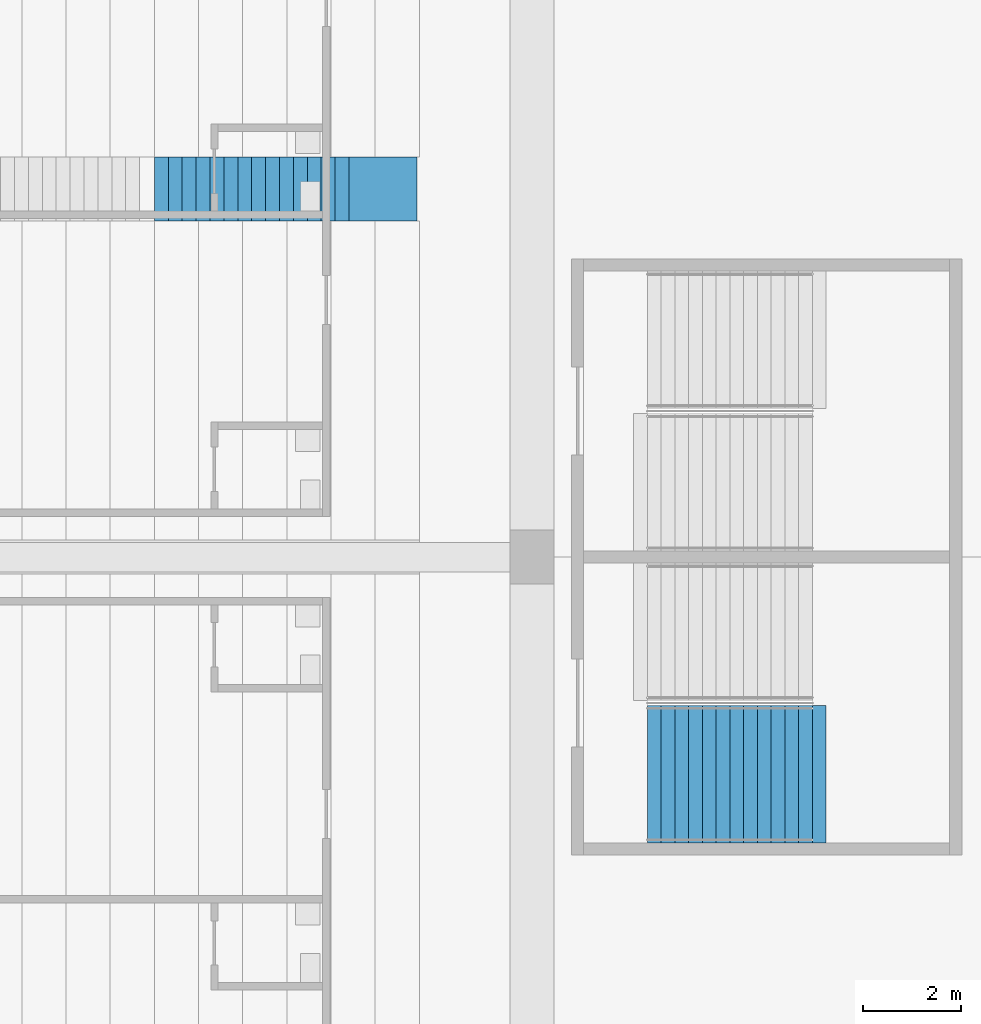
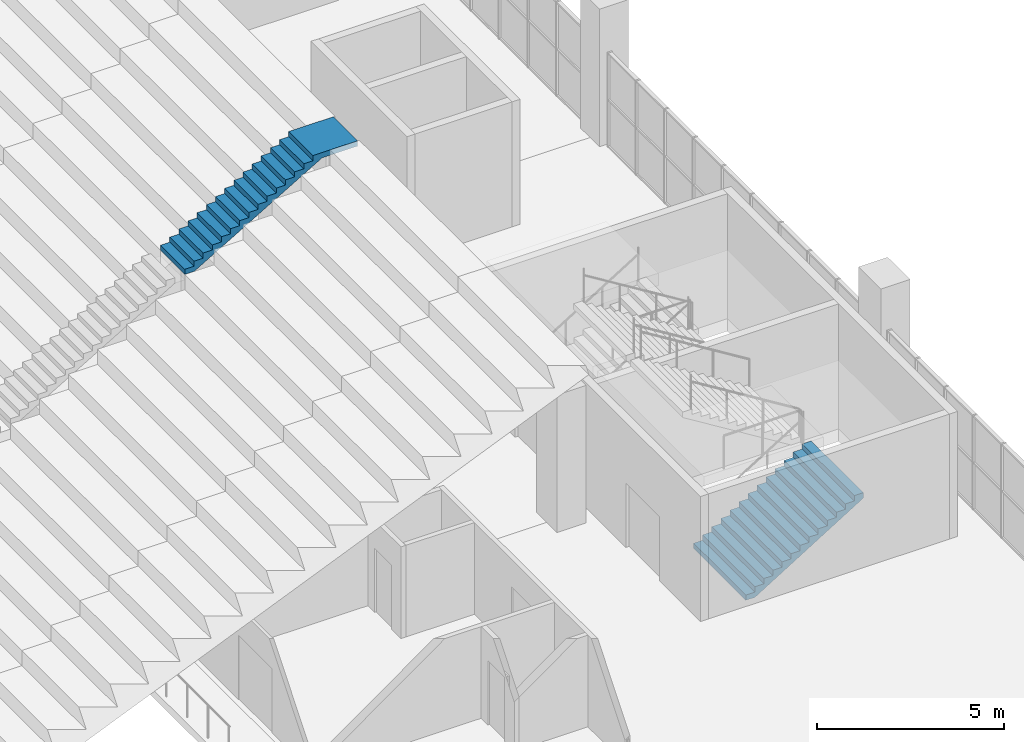
# One storey, part 180 of 249: 2 stair flights, 2 elements without a shape of their own.
"""IFC4 building model written with IfcOpenShell, lengths in metres."""

from ifc_helpers import new_model, si_unit, direction, frame, origin, place, context, subcontext, project, spatial, faceted_brep, material, type_object, element, aggregate, save


model = new_model("IFC4")

# Units and contexts
model_context = context("Model", 3, precision=1e-05, world=origin(), true_north=direction((0.0, 1.0)))
body_context = subcontext(model_context, "Body", "Model", "MODEL_VIEW")
ifc_project = project(units=[si_unit("LENGTHUNIT", "METRE"), si_unit("AREAUNIT", "SQUARE_METRE"), si_unit("VOLUMEUNIT", "CUBIC_METRE"), si_unit("PLANEANGLEUNIT", "RADIAN"), si_unit("MASSUNIT", "GRAM", prefix="KILO")], contexts=[model_context])

# Site, building, storey
site_placement = place(None, origin())
site = spatial("IfcSite", under=ifc_project, at=site_placement, CompositionType="ELEMENT")
building_placement = place(site_placement, origin())
building = spatial("IfcBuilding", under=site, at=building_placement, Name="Ogive Plaza Stadium", CompositionType="ELEMENT")
storey_placement = place(building_placement, frame((0.0, 0.0, 13.5)))
storey = spatial("IfcBuildingStorey", under=building, at=storey_placement, Name="L03", CompositionType="ELEMENT", Elevation=13.5)

# Stair, stair flight
ifc_material_1 = material(Name="Concrete C40/50", Category="concrete")
stair_type_1 = type_object("IfcStairType", Name="Aisle stair", PredefinedType="STRAIGHT_RUN_STAIR", material=ifc_material_1)
stair_1_placement = place(storey_placement, origin())
stair_1 = element("IfcStair", 1, at=stair_1_placement, inside=storey, type_object=stair_type_1, Name="Aisle stair SA05U", PredefinedType="STRAIGHT_RUN_STAIR")
ifc_material_2 = material(Name="Concrete C40/50", Category="concrete")
stair_flight_type_1 = type_object("IfcStairFlightType", Name="Aisle stair flight", PredefinedType="STRAIGHT", material=ifc_material_2)
stair_flight_1_placement = place(storey_placement, frame((66.300048828125, -15.0, 6.5), z_axis=(0.0, 0.0, 1.0), x_axis=(1.0, 0.0, 0.0)))
stair_flight_1 = element("IfcStairFlight", 2, at=stair_flight_1_placement, type_object=stair_flight_type_1, Name="SA05U flight 3", NumberOfRisers=15, NumberOfTreads=14, PredefinedType="STRAIGHT", RiserHeight=0.166666667, TreadLength=0.283333333, context=body_context, shape_type="Brep", body=[
    faceted_brep([(0.295654296875, -0.64990234375, 0.0), (4.25, -0.64990234375, 2.326171875), (5.35009765625, -0.64990234375, 2.326171875), (5.35009765625, -0.64990234375, 2.5), (3.966552734375, -0.64990234375, 2.5), (3.966552734375, -0.64990234375, 2.333251953125), (3.683349609375, -0.64990234375, 2.333251953125), (3.683349609375, -0.64990234375, 2.166748046875), (3.39990234375, -0.64990234375, 2.166748046875), (3.39990234375, -0.64990234375, 2.0), (3.11669921875, -0.64990234375, 2.0), (3.11669921875, -0.64990234375, 1.833251953125), (2.833251953125, -0.64990234375, 1.833251953125), (2.833251953125, -0.64990234375, 1.666748046875), (2.550048828125, -0.64990234375, 1.666748046875), (2.550048828125, -0.64990234375, 1.5), (2.2666015625, -0.64990234375, 1.5), (2.2666015625, -0.64990234375, 1.333251953125), (1.9833984375, -0.64990234375, 1.333251953125), (1.9833984375, -0.64990234375, 1.166748046875), (1.699951171875, -0.64990234375, 1.166748046875), (1.699951171875, -0.64990234375, 1.0), (1.416748046875, -0.64990234375, 1.0), (1.416748046875, -0.64990234375, 0.833251953125), (1.13330078125, -0.64990234375, 0.833251953125), (1.13330078125, -0.64990234375, 0.666748046875), (0.85009765625, -0.64990234375, 0.666748046875), (0.85009765625, -0.64990234375, 0.5), (0.566650390625, -0.64990234375, 0.5), (0.566650390625, -0.64990234375, 0.333251953125), (0.283447265625, -0.64990234375, 0.333251953125), (0.283447265625, -0.64990234375, 0.166748046875), (0.0, -0.64990234375, 0.166748046875), (0.0, -0.64990234375, 0.0), (0.0, 0.64990234375, 0.0), (0.0, 0.64990234375, 0.166748046875), (0.283447265625, 0.64990234375, 0.166748046875), (0.283447265625, 0.64990234375, 0.333251953125), (0.566650390625, 0.64990234375, 0.333251953125), (0.566650390625, 0.64990234375, 0.5), (0.85009765625, 0.64990234375, 0.5), (0.85009765625, 0.64990234375, 0.666748046875), (1.13330078125, 0.64990234375, 0.666748046875), (1.13330078125, 0.64990234375, 0.833251953125), (1.416748046875, 0.64990234375, 0.833251953125), (1.416748046875, 0.64990234375, 1.0), (1.699951171875, 0.64990234375, 1.0), (1.699951171875, 0.64990234375, 1.166748046875), (1.9833984375, 0.64990234375, 1.166748046875), (1.9833984375, 0.64990234375, 1.333251953125), (2.2666015625, 0.64990234375, 1.333251953125), (2.2666015625, 0.64990234375, 1.5), (2.550048828125, 0.64990234375, 1.5), (2.550048828125, 0.64990234375, 1.666748046875), (2.833251953125, 0.64990234375, 1.666748046875), (2.833251953125, 0.64990234375, 1.833251953125), (3.11669921875, 0.64990234375, 1.833251953125), (3.11669921875, 0.64990234375, 2.0), (3.39990234375, 0.64990234375, 2.0), (3.39990234375, 0.64990234375, 2.166748046875), (3.683349609375, 0.64990234375, 2.166748046875), (3.683349609375, 0.64990234375, 2.333251953125), (3.966552734375, 0.64990234375, 2.333251953125), (3.966552734375, 0.64990234375, 2.5), (5.35009765625, 0.64990234375, 2.5), (5.35009765625, 0.64990234375, 2.326171875), (4.25, 0.64990234375, 2.326171875), (0.295654296875, 0.64990234375, 0.0), (0.295654296875, -0.324951171875, 0.0), (4.25, -0.324951171875, 2.326171875), (0.295654296875, 0.0, 0.0), (4.25, 0.0, 2.326171875), (0.295654296875, 0.324951171875, 0.0), (4.25, 0.324951171875, 2.326171875), (5.35009765625, -0.324951171875, 2.326171875), (5.35009765625, 0.0, 2.326171875), (5.35009765625, 0.324951171875, 2.326171875), (5.35009765625, -0.324951171875, 2.5), (5.35009765625, 0.0, 2.5), (5.35009765625, 0.324951171875, 2.5), (3.966552734375, -0.324951171875, 2.5), (3.966552734375, 0.0, 2.5), (3.966552734375, 0.324951171875, 2.5), (3.966552734375, -0.324951171875, 2.333251953125), (3.966552734375, 0.0, 2.333251953125), (3.966552734375, 0.324951171875, 2.333251953125), (3.683349609375, -0.324951171875, 2.333251953125), (3.683349609375, 0.0, 2.333251953125), (3.683349609375, 0.324951171875, 2.333251953125), (3.683349609375, -0.324951171875, 2.166748046875), (3.683349609375, 0.0, 2.166748046875), (3.683349609375, 0.324951171875, 2.166748046875), (3.39990234375, -0.324951171875, 2.166748046875), (3.39990234375, 0.0, 2.166748046875), (3.39990234375, 0.324951171875, 2.166748046875), (3.39990234375, -0.324951171875, 2.0), (3.39990234375, 0.0, 2.0), (3.39990234375, 0.324951171875, 2.0), (3.11669921875, -0.324951171875, 2.0), (3.11669921875, 0.0, 2.0), (3.11669921875, 0.324951171875, 2.0), (3.11669921875, -0.324951171875, 1.833251953125), (3.11669921875, 0.0, 1.833251953125), (3.11669921875, 0.324951171875, 1.833251953125), (2.833251953125, -0.324951171875, 1.833251953125), (2.833251953125, 0.0, 1.833251953125), (2.833251953125, 0.324951171875, 1.833251953125), (2.833251953125, -0.324951171875, 1.666748046875), (2.833251953125, 0.0, 1.666748046875), (2.833251953125, 0.324951171875, 1.666748046875), (2.550048828125, -0.324951171875, 1.666748046875), (2.550048828125, 0.0, 1.666748046875), (2.550048828125, 0.324951171875, 1.666748046875), (2.550048828125, -0.324951171875, 1.5), (2.550048828125, 0.0, 1.5), (2.550048828125, 0.324951171875, 1.5), (2.2666015625, -0.324951171875, 1.5), (2.2666015625, 0.0, 1.5), (2.2666015625, 0.324951171875, 1.5), (2.2666015625, -0.324951171875, 1.333251953125), (2.2666015625, 0.0, 1.333251953125), (2.2666015625, 0.324951171875, 1.333251953125), (1.9833984375, -0.324951171875, 1.333251953125), (1.9833984375, 0.0, 1.333251953125), (1.9833984375, 0.324951171875, 1.333251953125), (1.9833984375, -0.324951171875, 1.166748046875), (1.9833984375, 0.0, 1.166748046875), (1.9833984375, 0.324951171875, 1.166748046875), (1.699951171875, -0.324951171875, 1.166748046875), (1.699951171875, 0.0, 1.166748046875), (1.699951171875, 0.324951171875, 1.166748046875), (1.699951171875, -0.324951171875, 1.0), (1.699951171875, 0.0, 1.0), (1.699951171875, 0.324951171875, 1.0), (1.416748046875, -0.324951171875, 1.0), (1.416748046875, 0.0, 1.0), (1.416748046875, 0.324951171875, 1.0), (1.416748046875, -0.324951171875, 0.833251953125), (1.416748046875, 0.0, 0.833251953125), (1.416748046875, 0.324951171875, 0.833251953125), (1.13330078125, -0.324951171875, 0.833251953125), (1.13330078125, 0.0, 0.833251953125), (1.13330078125, 0.324951171875, 0.833251953125), (1.13330078125, -0.324951171875, 0.666748046875), (1.13330078125, 0.0, 0.666748046875), (1.13330078125, 0.324951171875, 0.666748046875), (0.85009765625, -0.324951171875, 0.666748046875), (0.85009765625, 0.0, 0.666748046875), (0.85009765625, 0.324951171875, 0.666748046875), (0.85009765625, -0.324951171875, 0.5), (0.85009765625, 0.0, 0.5), (0.85009765625, 0.324951171875, 0.5), (0.566650390625, -0.324951171875, 0.5), (0.566650390625, 0.0, 0.5), (0.566650390625, 0.324951171875, 0.5), (0.566650390625, -0.324951171875, 0.333251953125), (0.566650390625, 0.0, 0.333251953125), (0.566650390625, 0.324951171875, 0.333251953125), (0.283447265625, -0.324951171875, 0.333251953125), (0.283447265625, 0.0, 0.333251953125), (0.283447265625, 0.324951171875, 0.333251953125), (0.283447265625, -0.324951171875, 0.166748046875), (0.283447265625, 0.0, 0.166748046875), (0.283447265625, 0.324951171875, 0.166748046875), (0.0, -0.324951171875, 0.166748046875), (0.0, 0.0, 0.166748046875), (0.0, 0.324951171875, 0.166748046875), (0.0, -0.324951171875, 0.0), (0.0, 0.0, 0.0), (0.0, 0.324951171875, 0.0)], [[[0, 1, 2, 3, 4, 5, 6, 7, 8, 9, 10, 11, 12, 13, 14, 15, 16, 17, 18, 19, 20, 21, 22, 23, 24, 25, 26, 27, 28, 29, 30, 31, 32, 33]], [[34, 35, 36, 37, 38, 39, 40, 41, 42, 43, 44, 45, 46, 47, 48, 49, 50, 51, 52, 53, 54, 55, 56, 57, 58, 59, 60, 61, 62, 63, 64, 65, 66, 67]], [[0, 68, 69, 1]], [[68, 70, 71, 69]], [[70, 72, 73, 71]], [[72, 67, 66, 73]], [[1, 69, 74, 2]], [[69, 71, 75, 74]], [[71, 73, 76, 75]], [[73, 66, 65, 76]], [[2, 74, 77, 3]], [[74, 75, 78, 77]], [[75, 76, 79, 78]], [[76, 65, 64, 79]], [[3, 77, 80, 4]], [[77, 78, 81, 80]], [[78, 79, 82, 81]], [[79, 64, 63, 82]], [[4, 80, 83, 5]], [[80, 81, 84, 83]], [[81, 82, 85, 84]], [[82, 63, 62, 85]], [[5, 83, 86, 6]], [[83, 84, 87, 86]], [[84, 85, 88, 87]], [[85, 62, 61, 88]], [[6, 86, 89, 7]], [[86, 87, 90, 89]], [[87, 88, 91, 90]], [[88, 61, 60, 91]], [[7, 89, 92, 8]], [[89, 90, 93, 92]], [[90, 91, 94, 93]], [[91, 60, 59, 94]], [[8, 92, 95, 9]], [[92, 93, 96, 95]], [[93, 94, 97, 96]], [[94, 59, 58, 97]], [[9, 95, 98, 10]], [[95, 96, 99, 98]], [[96, 97, 100, 99]], [[97, 58, 57, 100]], [[10, 98, 101, 11]], [[98, 99, 102, 101]], [[99, 100, 103, 102]], [[100, 57, 56, 103]], [[11, 101, 104, 12]], [[101, 102, 105, 104]], [[102, 103, 106, 105]], [[103, 56, 55, 106]], [[12, 104, 107, 13]], [[104, 105, 108, 107]], [[105, 106, 109, 108]], [[106, 55, 54, 109]], [[13, 107, 110, 14]], [[107, 108, 111, 110]], [[108, 109, 112, 111]], [[109, 54, 53, 112]], [[14, 110, 113, 15]], [[110, 111, 114, 113]], [[111, 112, 115, 114]], [[112, 53, 52, 115]], [[15, 113, 116, 16]], [[113, 114, 117, 116]], [[114, 115, 118, 117]], [[115, 52, 51, 118]], [[16, 116, 119, 17]], [[116, 117, 120, 119]], [[117, 118, 121, 120]], [[118, 51, 50, 121]], [[17, 119, 122, 18]], [[119, 120, 123, 122]], [[120, 121, 124, 123]], [[121, 50, 49, 124]], [[18, 122, 125, 19]], [[122, 123, 126, 125]], [[123, 124, 127, 126]], [[124, 49, 48, 127]], [[19, 125, 128, 20]], [[125, 126, 129, 128]], [[126, 127, 130, 129]], [[127, 48, 47, 130]], [[20, 128, 131, 21]], [[128, 129, 132, 131]], [[129, 130, 133, 132]], [[130, 47, 46, 133]], [[21, 131, 134, 22]], [[131, 132, 135, 134]], [[132, 133, 136, 135]], [[133, 46, 45, 136]], [[22, 134, 137, 23]], [[134, 135, 138, 137]], [[135, 136, 139, 138]], [[136, 45, 44, 139]], [[23, 137, 140, 24]], [[137, 138, 141, 140]], [[138, 139, 142, 141]], [[139, 44, 43, 142]], [[24, 140, 143, 25]], [[140, 141, 144, 143]], [[141, 142, 145, 144]], [[142, 43, 42, 145]], [[25, 143, 146, 26]], [[143, 144, 147, 146]], [[144, 145, 148, 147]], [[145, 42, 41, 148]], [[26, 146, 149, 27]], [[146, 147, 150, 149]], [[147, 148, 151, 150]], [[148, 41, 40, 151]], [[27, 149, 152, 28]], [[149, 150, 153, 152]], [[150, 151, 154, 153]], [[151, 40, 39, 154]], [[28, 152, 155, 29]], [[152, 153, 156, 155]], [[153, 154, 157, 156]], [[154, 39, 38, 157]], [[29, 155, 158, 30]], [[155, 156, 159, 158]], [[156, 157, 160, 159]], [[157, 38, 37, 160]], [[30, 158, 161, 31]], [[158, 159, 162, 161]], [[159, 160, 163, 162]], [[160, 37, 36, 163]], [[31, 161, 164, 32]], [[161, 162, 165, 164]], [[162, 163, 166, 165]], [[163, 36, 35, 166]], [[32, 164, 167, 33]], [[164, 165, 168, 167]], [[165, 166, 169, 168]], [[166, 35, 34, 169]], [[33, 167, 68, 0]], [[167, 168, 70, 68]], [[168, 169, 72, 70]], [[169, 34, 67, 72]]]),
])
aggregate(stair_1, [stair_flight_1])

ifc_material_3 = material(Name="Concrete C40/50", Category="concrete")
stair_type_2 = type_object("IfcStairType", Name="Exit stair", PredefinedType="STRAIGHT_RUN_STAIR", material=ifc_material_3)
stair_2_placement = place(storey_placement, origin())
stair_2 = element("IfcStair", 3, at=stair_2_placement, inside=storey, type_object=stair_type_2, Name="Exit stair ST06A L03 to L04", PredefinedType="STRAIGHT_RUN_STAIR")
ifc_material_4 = material(Name="Concrete C40/50", Category="concrete")
stair_flight_type_2 = type_object("IfcStairFlightType", Name="Exit stair flight", PredefinedType="STRAIGHT", material=ifc_material_4)
stair_flight_2_placement = place(storey_placement, frame((76.35009765625, -26.925048828125, 0.0), z_axis=(0.0, 0.0, 1.0), x_axis=(1.0, 0.0, 0.0)))
stair_flight_2 = element("IfcStairFlight", 4, at=stair_flight_2_placement, type_object=stair_flight_type_2, Name="ST06A flight 1", NumberOfRisers=13, NumberOfTreads=12, PredefinedType="STRAIGHT", RiserHeight=0.173076923, TreadLength=0.28, context=body_context, shape_type="Brep", body=[
    faceted_brep([(0.28515625, -1.39990234375, 0.0), (3.639892578125, -1.39990234375, 2.07373046875), (3.639892578125, -1.39990234375, 2.25), (3.360107421875, -1.39990234375, 2.25), (3.360107421875, -1.39990234375, 2.076904296875), (3.080078125, -1.39990234375, 2.076904296875), (3.080078125, -1.39990234375, 1.90380859375), (2.800048828125, -1.39990234375, 1.90380859375), (2.800048828125, -1.39990234375, 1.730712890625), (2.52001953125, -1.39990234375, 1.730712890625), (2.52001953125, -1.39990234375, 1.5576171875), (2.239990234375, -1.39990234375, 1.5576171875), (2.239990234375, -1.39990234375, 1.384521484375), (1.9599609375, -1.39990234375, 1.384521484375), (1.9599609375, -1.39990234375, 1.21142578125), (1.679931640625, -1.39990234375, 1.21142578125), (1.679931640625, -1.39990234375, 1.03857421875), (1.39990234375, -1.39990234375, 1.03857421875), (1.39990234375, -1.39990234375, 0.865478515625), (1.1201171875, -1.39990234375, 0.865478515625), (1.1201171875, -1.39990234375, 0.6923828125), (0.840087890625, -1.39990234375, 0.6923828125), (0.840087890625, -1.39990234375, 0.519287109375), (0.56005859375, -1.39990234375, 0.519287109375), (0.56005859375, -1.39990234375, 0.34619140625), (0.280029296875, -1.39990234375, 0.34619140625), (0.280029296875, -1.39990234375, 0.173095703125), (0.0, -1.39990234375, 0.173095703125), (0.0, -1.39990234375, 0.0), (0.0, 1.39990234375, 0.0), (0.0, 1.39990234375, 0.173095703125), (0.280029296875, 1.39990234375, 0.173095703125), (0.280029296875, 1.39990234375, 0.34619140625), (0.56005859375, 1.39990234375, 0.34619140625), (0.56005859375, 1.39990234375, 0.519287109375), (0.840087890625, 1.39990234375, 0.519287109375), (0.840087890625, 1.39990234375, 0.6923828125), (1.1201171875, 1.39990234375, 0.6923828125), (1.1201171875, 1.39990234375, 0.865478515625), (1.39990234375, 1.39990234375, 0.865478515625), (1.39990234375, 1.39990234375, 1.03857421875), (1.679931640625, 1.39990234375, 1.03857421875), (1.679931640625, 1.39990234375, 1.21142578125), (1.9599609375, 1.39990234375, 1.21142578125), (1.9599609375, 1.39990234375, 1.384521484375), (2.239990234375, 1.39990234375, 1.384521484375), (2.239990234375, 1.39990234375, 1.5576171875), (2.52001953125, 1.39990234375, 1.5576171875), (2.52001953125, 1.39990234375, 1.730712890625), (2.800048828125, 1.39990234375, 1.730712890625), (2.800048828125, 1.39990234375, 1.90380859375), (3.080078125, 1.39990234375, 1.90380859375), (3.080078125, 1.39990234375, 2.076904296875), (3.360107421875, 1.39990234375, 2.076904296875), (3.360107421875, 1.39990234375, 2.25), (3.639892578125, 1.39990234375, 2.25), (3.639892578125, 1.39990234375, 2.07373046875), (0.28515625, 1.39990234375, 0.0), (0.28515625, -1.0888671875, 0.0), (3.639892578125, -1.0888671875, 2.07373046875), (0.28515625, -0.77783203125, 0.0), (3.639892578125, -0.77783203125, 2.07373046875), (0.28515625, -0.466796875, 0.0), (3.639892578125, -0.466796875, 2.07373046875), (0.28515625, -0.155517578125, 0.0), (3.639892578125, -0.155517578125, 2.07373046875), (0.28515625, 0.155517578125, 0.0), (3.639892578125, 0.155517578125, 2.07373046875), (0.28515625, 0.466796875, 0.0), (3.639892578125, 0.466796875, 2.07373046875), (0.28515625, 0.77783203125, 0.0), (3.639892578125, 0.77783203125, 2.07373046875), (0.28515625, 1.0888671875, 0.0), (3.639892578125, 1.0888671875, 2.07373046875), (3.639892578125, -1.0888671875, 2.25), (3.639892578125, -0.77783203125, 2.25), (3.639892578125, -0.466796875, 2.25), (3.639892578125, -0.155517578125, 2.25), (3.639892578125, 0.155517578125, 2.25), (3.639892578125, 0.466796875, 2.25), (3.639892578125, 0.77783203125, 2.25), (3.639892578125, 1.0888671875, 2.25), (3.360107421875, -1.0888671875, 2.25), (3.360107421875, -0.77783203125, 2.25), (3.360107421875, -0.466796875, 2.25), (3.360107421875, -0.155517578125, 2.25), (3.360107421875, 0.155517578125, 2.25), (3.360107421875, 0.466796875, 2.25), (3.360107421875, 0.77783203125, 2.25), (3.360107421875, 1.0888671875, 2.25), (3.360107421875, -1.0888671875, 2.076904296875), (3.360107421875, -0.77783203125, 2.076904296875), (3.360107421875, -0.466796875, 2.076904296875), (3.360107421875, -0.155517578125, 2.076904296875), (3.360107421875, 0.155517578125, 2.076904296875), (3.360107421875, 0.466796875, 2.076904296875), (3.360107421875, 0.77783203125, 2.076904296875), (3.360107421875, 1.0888671875, 2.076904296875), (3.080078125, -1.0888671875, 2.076904296875), (3.080078125, -0.77783203125, 2.076904296875), (3.080078125, -0.466796875, 2.076904296875), (3.080078125, -0.155517578125, 2.076904296875), (3.080078125, 0.155517578125, 2.076904296875), (3.080078125, 0.466796875, 2.076904296875), (3.080078125, 0.77783203125, 2.076904296875), (3.080078125, 1.0888671875, 2.076904296875), (3.080078125, -1.0888671875, 1.90380859375), (3.080078125, -0.77783203125, 1.90380859375), (3.080078125, -0.466796875, 1.90380859375), (3.080078125, -0.155517578125, 1.90380859375), (3.080078125, 0.155517578125, 1.90380859375), (3.080078125, 0.466796875, 1.90380859375), (3.080078125, 0.77783203125, 1.90380859375), (3.080078125, 1.0888671875, 1.90380859375), (2.800048828125, -1.0888671875, 1.90380859375), (2.800048828125, -0.77783203125, 1.90380859375), (2.800048828125, -0.466796875, 1.90380859375), (2.800048828125, -0.155517578125, 1.90380859375), (2.800048828125, 0.155517578125, 1.90380859375), (2.800048828125, 0.466796875, 1.90380859375), (2.800048828125, 0.77783203125, 1.90380859375), (2.800048828125, 1.0888671875, 1.90380859375), (2.800048828125, -1.0888671875, 1.730712890625), (2.800048828125, -0.77783203125, 1.730712890625), (2.800048828125, -0.466796875, 1.730712890625), (2.800048828125, -0.155517578125, 1.730712890625), (2.800048828125, 0.155517578125, 1.730712890625), (2.800048828125, 0.466796875, 1.730712890625), (2.800048828125, 0.77783203125, 1.730712890625), (2.800048828125, 1.0888671875, 1.730712890625), (2.52001953125, -1.0888671875, 1.730712890625), (2.52001953125, -0.77783203125, 1.730712890625), (2.52001953125, -0.466796875, 1.730712890625), (2.52001953125, -0.155517578125, 1.730712890625), (2.52001953125, 0.155517578125, 1.730712890625), (2.52001953125, 0.466796875, 1.730712890625), (2.52001953125, 0.77783203125, 1.730712890625), (2.52001953125, 1.0888671875, 1.730712890625), (2.52001953125, -1.0888671875, 1.5576171875), (2.52001953125, -0.77783203125, 1.5576171875), (2.52001953125, -0.466796875, 1.5576171875), (2.52001953125, -0.155517578125, 1.5576171875), (2.52001953125, 0.155517578125, 1.5576171875), (2.52001953125, 0.466796875, 1.5576171875), (2.52001953125, 0.77783203125, 1.5576171875), (2.52001953125, 1.0888671875, 1.5576171875), (2.239990234375, -1.0888671875, 1.5576171875), (2.239990234375, -0.77783203125, 1.5576171875), (2.239990234375, -0.466796875, 1.5576171875), (2.239990234375, -0.155517578125, 1.5576171875), (2.239990234375, 0.155517578125, 1.5576171875), (2.239990234375, 0.466796875, 1.5576171875), (2.239990234375, 0.77783203125, 1.5576171875), (2.239990234375, 1.0888671875, 1.5576171875), (2.239990234375, -1.0888671875, 1.384521484375), (2.239990234375, -0.77783203125, 1.384521484375), (2.239990234375, -0.466796875, 1.384521484375), (2.239990234375, -0.155517578125, 1.384521484375), (2.239990234375, 0.155517578125, 1.384521484375), (2.239990234375, 0.466796875, 1.384521484375), (2.239990234375, 0.77783203125, 1.384521484375), (2.239990234375, 1.0888671875, 1.384521484375), (1.9599609375, -1.0888671875, 1.384521484375), (1.9599609375, -0.77783203125, 1.384521484375), (1.9599609375, -0.466796875, 1.384521484375), (1.9599609375, -0.155517578125, 1.384521484375), (1.9599609375, 0.155517578125, 1.384521484375), (1.9599609375, 0.466796875, 1.384521484375), (1.9599609375, 0.77783203125, 1.384521484375), (1.9599609375, 1.0888671875, 1.384521484375), (1.9599609375, -1.0888671875, 1.21142578125), (1.9599609375, -0.77783203125, 1.21142578125), (1.9599609375, -0.466796875, 1.21142578125), (1.9599609375, -0.155517578125, 1.21142578125), (1.9599609375, 0.155517578125, 1.21142578125), (1.9599609375, 0.466796875, 1.21142578125), (1.9599609375, 0.77783203125, 1.21142578125), (1.9599609375, 1.0888671875, 1.21142578125), (1.679931640625, -1.0888671875, 1.21142578125), (1.679931640625, -0.77783203125, 1.21142578125), (1.679931640625, -0.466796875, 1.21142578125), (1.679931640625, -0.155517578125, 1.21142578125), (1.679931640625, 0.155517578125, 1.21142578125), (1.679931640625, 0.466796875, 1.21142578125), (1.679931640625, 0.77783203125, 1.21142578125), (1.679931640625, 1.0888671875, 1.21142578125), (1.679931640625, -1.0888671875, 1.03857421875), (1.679931640625, -0.77783203125, 1.03857421875), (1.679931640625, -0.466796875, 1.03857421875), (1.679931640625, -0.155517578125, 1.03857421875), (1.679931640625, 0.155517578125, 1.03857421875), (1.679931640625, 0.466796875, 1.03857421875), (1.679931640625, 0.77783203125, 1.03857421875), (1.679931640625, 1.0888671875, 1.03857421875), (1.39990234375, -1.0888671875, 1.03857421875), (1.39990234375, -0.77783203125, 1.03857421875), (1.39990234375, -0.466796875, 1.03857421875), (1.39990234375, -0.155517578125, 1.03857421875), (1.39990234375, 0.155517578125, 1.03857421875), (1.39990234375, 0.466796875, 1.03857421875), (1.39990234375, 0.77783203125, 1.03857421875), (1.39990234375, 1.0888671875, 1.03857421875), (1.39990234375, -1.0888671875, 0.865478515625), (1.39990234375, -0.77783203125, 0.865478515625), (1.39990234375, -0.466796875, 0.865478515625), (1.39990234375, -0.155517578125, 0.865478515625), (1.39990234375, 0.155517578125, 0.865478515625), (1.39990234375, 0.466796875, 0.865478515625), (1.39990234375, 0.77783203125, 0.865478515625), (1.39990234375, 1.0888671875, 0.865478515625), (1.1201171875, -1.0888671875, 0.865478515625), (1.1201171875, -0.77783203125, 0.865478515625), (1.1201171875, -0.466796875, 0.865478515625), (1.1201171875, -0.155517578125, 0.865478515625), (1.1201171875, 0.155517578125, 0.865478515625), (1.1201171875, 0.466796875, 0.865478515625), (1.1201171875, 0.77783203125, 0.865478515625), (1.1201171875, 1.0888671875, 0.865478515625), (1.1201171875, -1.0888671875, 0.6923828125), (1.1201171875, -0.77783203125, 0.6923828125), (1.1201171875, -0.466796875, 0.6923828125), (1.1201171875, -0.155517578125, 0.6923828125), (1.1201171875, 0.155517578125, 0.6923828125), (1.1201171875, 0.466796875, 0.6923828125), (1.1201171875, 0.77783203125, 0.6923828125), (1.1201171875, 1.0888671875, 0.6923828125), (0.840087890625, -1.0888671875, 0.6923828125), (0.840087890625, -0.77783203125, 0.6923828125), (0.840087890625, -0.466796875, 0.6923828125), (0.840087890625, -0.155517578125, 0.6923828125), (0.840087890625, 0.155517578125, 0.6923828125), (0.840087890625, 0.466796875, 0.6923828125), (0.840087890625, 0.77783203125, 0.6923828125), (0.840087890625, 1.0888671875, 0.6923828125), (0.840087890625, -1.0888671875, 0.519287109375), (0.840087890625, -0.77783203125, 0.519287109375), (0.840087890625, -0.466796875, 0.519287109375), (0.840087890625, -0.155517578125, 0.519287109375), (0.840087890625, 0.155517578125, 0.519287109375), (0.840087890625, 0.466796875, 0.519287109375), (0.840087890625, 0.77783203125, 0.519287109375), (0.840087890625, 1.0888671875, 0.519287109375), (0.56005859375, -1.0888671875, 0.519287109375), (0.56005859375, -0.77783203125, 0.519287109375), (0.56005859375, -0.466796875, 0.519287109375), (0.56005859375, -0.155517578125, 0.519287109375), (0.56005859375, 0.155517578125, 0.519287109375), (0.56005859375, 0.466796875, 0.519287109375), (0.56005859375, 0.77783203125, 0.519287109375), (0.56005859375, 1.0888671875, 0.519287109375), (0.56005859375, -1.0888671875, 0.34619140625), (0.56005859375, -0.77783203125, 0.34619140625), (0.56005859375, -0.466796875, 0.34619140625), (0.56005859375, -0.155517578125, 0.34619140625), (0.56005859375, 0.155517578125, 0.34619140625), (0.56005859375, 0.466796875, 0.34619140625), (0.56005859375, 0.77783203125, 0.34619140625), (0.56005859375, 1.0888671875, 0.34619140625), (0.280029296875, -1.0888671875, 0.34619140625), (0.280029296875, -0.77783203125, 0.34619140625), (0.280029296875, -0.466796875, 0.34619140625), (0.280029296875, -0.155517578125, 0.34619140625), (0.280029296875, 0.155517578125, 0.34619140625), (0.280029296875, 0.466796875, 0.34619140625), (0.280029296875, 0.77783203125, 0.34619140625), (0.280029296875, 1.0888671875, 0.34619140625), (0.280029296875, -1.0888671875, 0.173095703125), (0.280029296875, -0.77783203125, 0.173095703125), (0.280029296875, -0.466796875, 0.173095703125), (0.280029296875, -0.155517578125, 0.173095703125), (0.280029296875, 0.155517578125, 0.173095703125), (0.280029296875, 0.466796875, 0.173095703125), (0.280029296875, 0.77783203125, 0.173095703125), (0.280029296875, 1.0888671875, 0.173095703125), (0.0, -1.0888671875, 0.173095703125), (0.0, -0.77783203125, 0.173095703125), (0.0, -0.466796875, 0.173095703125), (0.0, -0.155517578125, 0.173095703125), (0.0, 0.155517578125, 0.173095703125), (0.0, 0.466796875, 0.173095703125), (0.0, 0.77783203125, 0.173095703125), (0.0, 1.0888671875, 0.173095703125), (0.0, -1.0888671875, 0.0), (0.0, -0.77783203125, 0.0), (0.0, -0.466796875, 0.0), (0.0, -0.155517578125, 0.0), (0.0, 0.155517578125, 0.0), (0.0, 0.466796875, 0.0), (0.0, 0.77783203125, 0.0), (0.0, 1.0888671875, 0.0)], [[[0, 1, 2, 3, 4, 5, 6, 7, 8, 9, 10, 11, 12, 13, 14, 15, 16, 17, 18, 19, 20, 21, 22, 23, 24, 25, 26, 27, 28]], [[29, 30, 31, 32, 33, 34, 35, 36, 37, 38, 39, 40, 41, 42, 43, 44, 45, 46, 47, 48, 49, 50, 51, 52, 53, 54, 55, 56, 57]], [[0, 58, 59, 1]], [[58, 60, 61, 59]], [[60, 62, 63, 61]], [[62, 64, 65, 63]], [[64, 66, 67, 65]], [[66, 68, 69, 67]], [[68, 70, 71, 69]], [[70, 72, 73, 71]], [[72, 57, 56, 73]], [[1, 59, 74, 2]], [[59, 61, 75, 74]], [[61, 63, 76, 75]], [[63, 65, 77, 76]], [[65, 67, 78, 77]], [[67, 69, 79, 78]], [[69, 71, 80, 79]], [[71, 73, 81, 80]], [[73, 56, 55, 81]], [[2, 74, 82, 3]], [[74, 75, 83, 82]], [[75, 76, 84, 83]], [[76, 77, 85, 84]], [[77, 78, 86, 85]], [[78, 79, 87, 86]], [[79, 80, 88, 87]], [[80, 81, 89, 88]], [[81, 55, 54, 89]], [[3, 82, 90, 4]], [[82, 83, 91, 90]], [[83, 84, 92, 91]], [[84, 85, 93, 92]], [[85, 86, 94, 93]], [[86, 87, 95, 94]], [[87, 88, 96, 95]], [[88, 89, 97, 96]], [[89, 54, 53, 97]], [[4, 90, 98, 5]], [[90, 91, 99, 98]], [[91, 92, 100, 99]], [[92, 93, 101, 100]], [[93, 94, 102, 101]], [[94, 95, 103, 102]], [[95, 96, 104, 103]], [[96, 97, 105, 104]], [[97, 53, 52, 105]], [[5, 98, 106, 6]], [[98, 99, 107, 106]], [[99, 100, 108, 107]], [[100, 101, 109, 108]], [[101, 102, 110, 109]], [[102, 103, 111, 110]], [[103, 104, 112, 111]], [[104, 105, 113, 112]], [[105, 52, 51, 113]], [[6, 106, 114, 7]], [[106, 107, 115, 114]], [[107, 108, 116, 115]], [[108, 109, 117, 116]], [[109, 110, 118, 117]], [[110, 111, 119, 118]], [[111, 112, 120, 119]], [[112, 113, 121, 120]], [[113, 51, 50, 121]], [[7, 114, 122, 8]], [[114, 115, 123, 122]], [[115, 116, 124, 123]], [[116, 117, 125, 124]], [[117, 118, 126, 125]], [[118, 119, 127, 126]], [[119, 120, 128, 127]], [[120, 121, 129, 128]], [[121, 50, 49, 129]], [[8, 122, 130, 9]], [[122, 123, 131, 130]], [[123, 124, 132, 131]], [[124, 125, 133, 132]], [[125, 126, 134, 133]], [[126, 127, 135, 134]], [[127, 128, 136, 135]], [[128, 129, 137, 136]], [[129, 49, 48, 137]], [[9, 130, 138, 10]], [[130, 131, 139, 138]], [[131, 132, 140, 139]], [[132, 133, 141, 140]], [[133, 134, 142, 141]], [[134, 135, 143, 142]], [[135, 136, 144, 143]], [[136, 137, 145, 144]], [[137, 48, 47, 145]], [[10, 138, 146, 11]], [[138, 139, 147, 146]], [[139, 140, 148, 147]], [[140, 141, 149, 148]], [[141, 142, 150, 149]], [[142, 143, 151, 150]], [[143, 144, 152, 151]], [[144, 145, 153, 152]], [[145, 47, 46, 153]], [[11, 146, 154, 12]], [[146, 147, 155, 154]], [[147, 148, 156, 155]], [[148, 149, 157, 156]], [[149, 150, 158, 157]], [[150, 151, 159, 158]], [[151, 152, 160, 159]], [[152, 153, 161, 160]], [[153, 46, 45, 161]], [[12, 154, 162, 13]], [[154, 155, 163, 162]], [[155, 156, 164, 163]], [[156, 157, 165, 164]], [[157, 158, 166, 165]], [[158, 159, 167, 166]], [[159, 160, 168, 167]], [[160, 161, 169, 168]], [[161, 45, 44, 169]], [[13, 162, 170, 14]], [[162, 163, 171, 170]], [[163, 164, 172, 171]], [[164, 165, 173, 172]], [[165, 166, 174, 173]], [[166, 167, 175, 174]], [[167, 168, 176, 175]], [[168, 169, 177, 176]], [[169, 44, 43, 177]], [[14, 170, 178, 15]], [[170, 171, 179, 178]], [[171, 172, 180, 179]], [[172, 173, 181, 180]], [[173, 174, 182, 181]], [[174, 175, 183, 182]], [[175, 176, 184, 183]], [[176, 177, 185, 184]], [[177, 43, 42, 185]], [[15, 178, 186, 16]], [[178, 179, 187, 186]], [[179, 180, 188, 187]], [[180, 181, 189, 188]], [[181, 182, 190, 189]], [[182, 183, 191, 190]], [[183, 184, 192, 191]], [[184, 185, 193, 192]], [[185, 42, 41, 193]], [[16, 186, 194, 17]], [[186, 187, 195, 194]], [[187, 188, 196, 195]], [[188, 189, 197, 196]], [[189, 190, 198, 197]], [[190, 191, 199, 198]], [[191, 192, 200, 199]], [[192, 193, 201, 200]], [[193, 41, 40, 201]], [[17, 194, 202, 18]], [[194, 195, 203, 202]], [[195, 196, 204, 203]], [[196, 197, 205, 204]], [[197, 198, 206, 205]], [[198, 199, 207, 206]], [[199, 200, 208, 207]], [[200, 201, 209, 208]], [[201, 40, 39, 209]], [[18, 202, 210, 19]], [[202, 203, 211, 210]], [[203, 204, 212, 211]], [[204, 205, 213, 212]], [[205, 206, 214, 213]], [[206, 207, 215, 214]], [[207, 208, 216, 215]], [[208, 209, 217, 216]], [[209, 39, 38, 217]], [[19, 210, 218, 20]], [[210, 211, 219, 218]], [[211, 212, 220, 219]], [[212, 213, 221, 220]], [[213, 214, 222, 221]], [[214, 215, 223, 222]], [[215, 216, 224, 223]], [[216, 217, 225, 224]], [[217, 38, 37, 225]], [[20, 218, 226, 21]], [[218, 219, 227, 226]], [[219, 220, 228, 227]], [[220, 221, 229, 228]], [[221, 222, 230, 229]], [[222, 223, 231, 230]], [[223, 224, 232, 231]], [[224, 225, 233, 232]], [[225, 37, 36, 233]], [[21, 226, 234, 22]], [[226, 227, 235, 234]], [[227, 228, 236, 235]], [[228, 229, 237, 236]], [[229, 230, 238, 237]], [[230, 231, 239, 238]], [[231, 232, 240, 239]], [[232, 233, 241, 240]], [[233, 36, 35, 241]], [[22, 234, 242, 23]], [[234, 235, 243, 242]], [[235, 236, 244, 243]], [[236, 237, 245, 244]], [[237, 238, 246, 245]], [[238, 239, 247, 246]], [[239, 240, 248, 247]], [[240, 241, 249, 248]], [[241, 35, 34, 249]], [[23, 242, 250, 24]], [[242, 243, 251, 250]], [[243, 244, 252, 251]], [[244, 245, 253, 252]], [[245, 246, 254, 253]], [[246, 247, 255, 254]], [[247, 248, 256, 255]], [[248, 249, 257, 256]], [[249, 34, 33, 257]], [[24, 250, 258, 25]], [[250, 251, 259, 258]], [[251, 252, 260, 259]], [[252, 253, 261, 260]], [[253, 254, 262, 261]], [[254, 255, 263, 262]], [[255, 256, 264, 263]], [[256, 257, 265, 264]], [[257, 33, 32, 265]], [[25, 258, 266, 26]], [[258, 259, 267, 266]], [[259, 260, 268, 267]], [[260, 261, 269, 268]], [[261, 262, 270, 269]], [[262, 263, 271, 270]], [[263, 264, 272, 271]], [[264, 265, 273, 272]], [[265, 32, 31, 273]], [[26, 266, 274, 27]], [[266, 267, 275, 274]], [[267, 268, 276, 275]], [[268, 269, 277, 276]], [[269, 270, 278, 277]], [[270, 271, 279, 278]], [[271, 272, 280, 279]], [[272, 273, 281, 280]], [[273, 31, 30, 281]], [[27, 274, 282, 28]], [[274, 275, 283, 282]], [[275, 276, 284, 283]], [[276, 277, 285, 284]], [[277, 278, 286, 285]], [[278, 279, 287, 286]], [[279, 280, 288, 287]], [[280, 281, 289, 288]], [[281, 30, 29, 289]], [[28, 282, 58, 0]], [[282, 283, 60, 58]], [[283, 284, 62, 60]], [[284, 285, 64, 62]], [[285, 286, 66, 64]], [[286, 287, 68, 66]], [[287, 288, 70, 68]], [[288, 289, 72, 70]], [[289, 29, 57, 72]]]),
])
aggregate(stair_2, [stair_flight_2])

save(model, "model.ifc")
